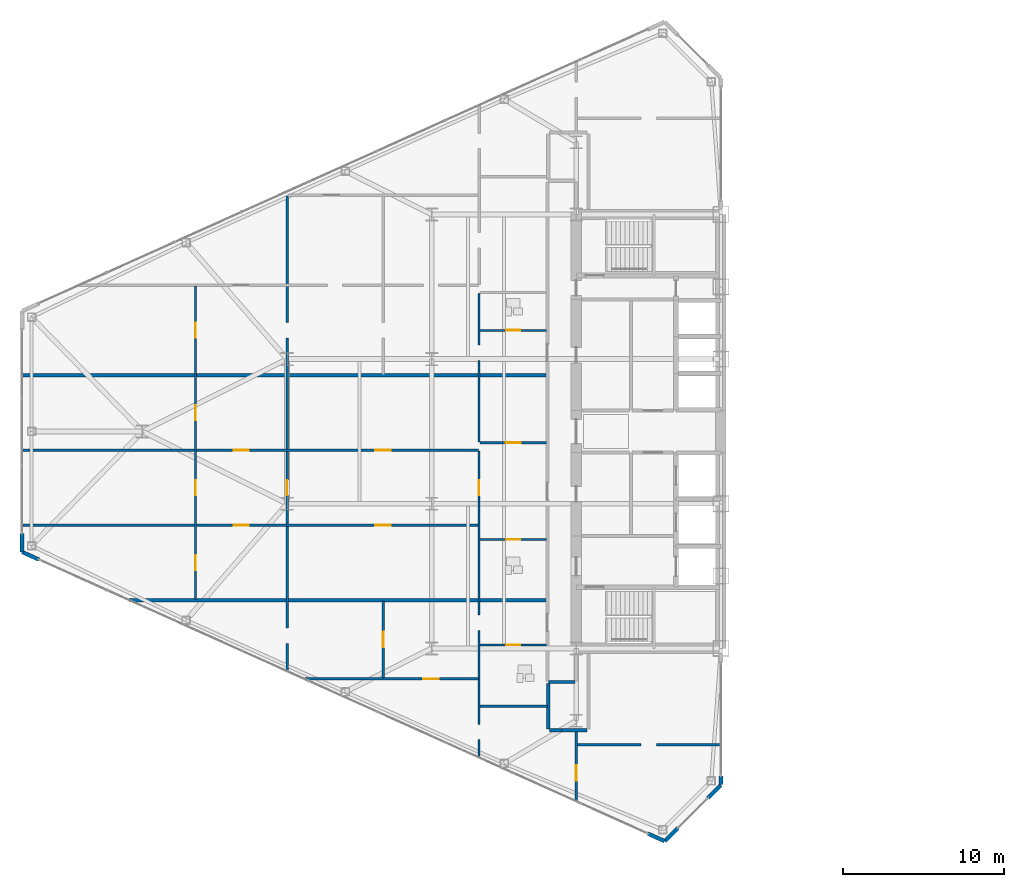
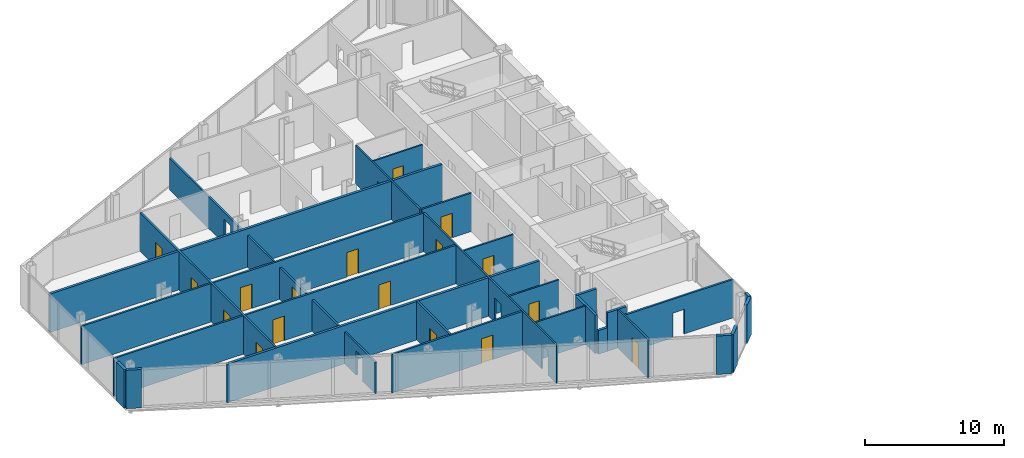
# One storey, part 19 of 27: 27 walls, 17 doors, 23 openings.
"""IFC4 building model written with IfcOpenShell, lengths in metres."""

from ifc_helpers import new_model, si_unit, direction, frame, frame_2d, origin, place, context, subcontext, project, spatial, rectangle, extrude, source, transform, mapped, material, layer, layer_set, type_object, type_shapes, element, fill, save


model = new_model("IFC4")

# Units and contexts
model_context = context("Model", 3, precision=1e-05, world=origin(), true_north=direction((0.0, 1.0)))
body_context = subcontext(model_context, "Body", "Model", "MODEL_VIEW")
ifc_project = project(units=[si_unit("LENGTHUNIT", "METRE"), si_unit("AREAUNIT", "SQUARE_METRE"), si_unit("VOLUMEUNIT", "CUBIC_METRE"), si_unit("PLANEANGLEUNIT", "RADIAN"), si_unit("MASSUNIT", "GRAM", prefix="KILO")], contexts=[model_context])

# Site, building, storey
site_placement = place(None, origin())
site = spatial("IfcSite", under=ifc_project, at=site_placement, CompositionType="ELEMENT")
building_placement = place(site_placement, origin())
building = spatial("IfcBuilding", under=site, at=building_placement, Name="Seokmaru Belvedere", CompositionType="ELEMENT")
storey_placement = place(building_placement, frame((0.0, 0.0, 106.800048828125)))
storey = spatial("IfcBuildingStorey", under=building, at=storey_placement, Name="L28", CompositionType="ELEMENT", Elevation=106.800048828125)

# Wall, opening
ifc_material_1 = material(Name="Fire-Rated Gypsum Shaftwall")
ifc_layer_1 = layer(ifc_material_1, 0.14990234375)
ifc_layer_set_1 = layer_set([ifc_layer_1], Name="Fire-Rated Gypsum Shaftwall")
wall_type_1 = type_object("IfcWallType", Name="Apartment Fire-Acoustic Room Partition 150", PredefinedType="PARTITIONING", material=ifc_layer_set_1)
wall_1_placement = place(storey_placement, frame((-36.449951171875, -19.5, 0.0), z_axis=(0.0, 0.0, 1.0), x_axis=(1.0, 0.0, 0.0)))
wall_1 = element("IfcWall", 1, at=wall_1_placement, inside=storey, type_object=wall_type_1, Name="L28 Interior Partition 001", PredefinedType="PARTITIONING", context=body_context, shape_type="SweptSolid", body=[
    extrude(rectangle(XDim=8.98486328125, YDim=0.14990234375, at=frame_2d((4.492431640625, 0.0))), origin(), (0.0, 0.0, 1.0), 3.3798828125),
])
opening_1_placement = place(wall_1_placement, frame((3.97509765625, 0.0, 0.0)))
element("IfcOpeningElement", 2, at=opening_1_placement, cuts=wall_1, Name="L28 Cased Opening 009", PredefinedType="OPENING", context=body_context, shape_type="SweptSolid", body=[
    extrude(rectangle(XDim=0.949951171875, YDim=2.14990234375, at=frame_2d((0.47509765625, 1.074951171875))), frame((0.0, 0.0849609375, 0.0), z_axis=(0.0, -1.0, 0.0), x_axis=(1.0, 0.0, 0.0)), (0.0, 0.0, 1.0), 0.169921875),
])

# Wall, opening, door
wall_2_placement = place(storey_placement, frame((-53.47705078125, -15.39990234375, 0.0), z_axis=(0.0, 0.0, 1.0), x_axis=(1.0, 0.0, 0.0)))
wall_2 = element("IfcWall", 3, at=wall_2_placement, inside=storey, type_object=wall_type_1, Name="L28 Interior Partition 007", PredefinedType="PARTITIONING", context=body_context, shape_type="SweptSolid", body=[
    extrude(rectangle(XDim=10.876953125, YDim=0.14990234375, at=frame_2d((5.4384765625, 0.0))), origin(), (0.0, 0.0, 1.0), 3.3798828125),
])
opening_2_placement = place(wall_2_placement, frame((7.464599609375, 0.0, 0.0)))
opening_2 = element("IfcOpeningElement", 4, at=opening_2_placement, cuts=wall_2, Name="Opening D05", PredefinedType="OPENING", context=body_context, shape_type="SweptSolid", body=[
    extrude(rectangle(XDim=0.949951171875, YDim=2.14990234375, at=frame_2d((0.47509765625, 1.074951171875))), frame((0.0, 0.0849609375, 0.0), z_axis=(0.0, -1.0, 0.0), x_axis=(1.0, 0.0, 0.0)), (0.0, 0.0, 1.0), 0.169921875),
])
ifc_material_2 = material(Name="Engineered White Oak Timber", Category="wood")
door_type_1 = type_object("IfcDoorType", Name="Apartment Interior Fire-Rated Oak Door 950x2150", OperationType="NOTDEFINED", PredefinedType="DOOR", material=ifc_material_2)
shared_shape_1 = source(origin(), body_context, "Body", "SweptSolid", [
    extrude(rectangle(XDim=0.949951171875, YDim=2.14990234375, at=frame_2d((0.47509765625, 1.074951171875))), frame((0.0, 0.02490234375, 0.0), z_axis=(0.0, -1.0, 0.0), x_axis=(1.0, 0.0, 0.0)), (0.0, 0.0, 1.0), 0.050048828125),
])
type_shapes(door_type_1, [shared_shape_1])
door_1_placement = place(opening_2_placement, origin())
door_1 = element("IfcDoor", 5, at=door_1_placement, inside=storey, type_object=door_type_1, Name="L28 Interior Door 004", OperationType="SINGLE_SWING_LEFT", OverallHeight=2.14990234375, OverallWidth=0.949951171875, PredefinedType="DOOR", context=body_context, shape_type="MappedRepresentation", body=[
    mapped(shared_shape_1, transform((0.0, 0.0, 0.0), scale=1.0)),
])
fill(opening_2, door_1)

# Wall, openings, doors
wall_3_placement = place(storey_placement, frame((-71.034912109375, -5.830078125, 0.0), z_axis=(0.0, 0.0, 1.0), x_axis=(1.0, 0.0, 0.0)))
wall_3 = element("IfcWall", 6, at=wall_3_placement, inside=storey, type_object=wall_type_1, Name="L28 Interior Partition 014", PredefinedType="PARTITIONING", context=body_context, shape_type="SweptSolid", body=[
    extrude(rectangle(XDim=28.434814453125, YDim=0.14990234375, at=frame_2d((14.21728515625, 0.0))), origin(), (0.0, 0.0, 1.0), 3.3798828125),
])
opening_3_placement = place(wall_3_placement, frame((22.034912109375, 0.0, 0.0)))
opening_3 = element("IfcOpeningElement", 7, at=opening_3_placement, cuts=wall_3, Name="Opening D05", PredefinedType="OPENING", context=body_context, shape_type="SweptSolid", body=[
    extrude(rectangle(XDim=0.949951171875, YDim=2.14990234375, at=frame_2d((0.47509765625, 1.074951171875))), frame((0.0, 0.0849609375, 0.0), z_axis=(0.0, -1.0, 0.0), x_axis=(1.0, 0.0, 0.0)), (0.0, 0.0, 1.0), 0.169921875),
])
opening_4_placement = place(wall_3_placement, frame((13.2099609375, 0.0, 0.0)))
opening_4 = element("IfcOpeningElement", 8, at=opening_4_placement, cuts=wall_3, Name="Opening D05", PredefinedType="OPENING", context=body_context, shape_type="SweptSolid", body=[
    extrude(rectangle(XDim=0.949951171875, YDim=2.14990234375, at=frame_2d((0.47509765625, 1.074951171875))), frame((0.0, 0.0849609375, 0.0), z_axis=(0.0, -1.0, 0.0), x_axis=(1.0, 0.0, 0.0)), (0.0, 0.0, 1.0), 0.169921875),
])
door_2_placement = place(opening_3_placement, origin())
door_2 = element("IfcDoor", 9, at=door_2_placement, inside=storey, type_object=door_type_1, Name="L28 Interior Door 015", OperationType="SINGLE_SWING_RIGHT", OverallHeight=2.14990234375, OverallWidth=0.949951171875, PredefinedType="DOOR", context=body_context, shape_type="MappedRepresentation", body=[
    mapped(shared_shape_1, transform((0.0, 0.0, 0.0), scale=1.0)),
])
fill(opening_3, door_2)
door_3_placement = place(opening_4_placement, origin())
door_3 = element("IfcDoor", 10, at=door_3_placement, inside=storey, type_object=door_type_1, Name="L28 Interior Door 017", OperationType="SINGLE_SWING_LEFT", OverallHeight=2.14990234375, OverallWidth=0.949951171875, PredefinedType="DOOR", context=body_context, shape_type="MappedRepresentation", body=[
    mapped(shared_shape_1, transform((0.0, 0.0, 0.0), scale=1.0)),
])
fill(opening_4, door_3)

wall_4_placement = place(storey_placement, frame((-71.034912109375, -1.169921875, 0.0), z_axis=(0.0, 0.0, 1.0), x_axis=(1.0, 0.0, 0.0)))
wall_4 = element("IfcWall", 11, at=wall_4_placement, inside=storey, type_object=wall_type_1, Name="L28 Interior Partition 017", PredefinedType="PARTITIONING", context=body_context, shape_type="SweptSolid", body=[
    extrude(rectangle(XDim=28.434814453125, YDim=0.14990234375, at=frame_2d((14.21728515625, 0.0))), origin(), (0.0, 0.0, 1.0), 3.3798828125),
])
opening_5_placement = place(wall_4_placement, frame((22.034912109375, 0.0, 0.0)))
opening_5 = element("IfcOpeningElement", 12, at=opening_5_placement, cuts=wall_4, Name="Opening D05", PredefinedType="OPENING", context=body_context, shape_type="SweptSolid", body=[
    extrude(rectangle(XDim=0.949951171875, YDim=2.14990234375, at=frame_2d((0.47509765625, 1.074951171875))), frame((0.0, 0.0849609375, 0.0), z_axis=(0.0, -1.0, 0.0), x_axis=(1.0, 0.0, 0.0)), (0.0, 0.0, 1.0), 0.169921875),
])
opening_6_placement = place(wall_4_placement, frame((13.2099609375, 0.0, 0.0)))
opening_6 = element("IfcOpeningElement", 13, at=opening_6_placement, cuts=wall_4, Name="Opening D05", PredefinedType="OPENING", context=body_context, shape_type="SweptSolid", body=[
    extrude(rectangle(XDim=0.949951171875, YDim=2.14990234375, at=frame_2d((0.47509765625, 1.074951171875))), frame((0.0, 0.0849609375, 0.0), z_axis=(0.0, -1.0, 0.0), x_axis=(1.0, 0.0, 0.0)), (0.0, 0.0, 1.0), 0.169921875),
])
door_4_placement = place(opening_5_placement, origin())
door_4 = element("IfcDoor", 14, at=door_4_placement, inside=storey, type_object=door_type_1, Name="L28 Interior Door 016", OperationType="SINGLE_SWING_LEFT", OverallHeight=2.14990234375, OverallWidth=0.949951171875, PredefinedType="DOOR", context=body_context, shape_type="MappedRepresentation", body=[
    mapped(shared_shape_1, transform((0.0, 0.0, 0.0), scale=1.0)),
])
fill(opening_5, door_4)
door_5_placement = place(opening_6_placement, origin())
door_5 = element("IfcDoor", 15, at=door_5_placement, inside=storey, type_object=door_type_1, Name="L28 Interior Door 020", OperationType="SINGLE_SWING_LEFT", OverallHeight=2.14990234375, OverallWidth=0.949951171875, PredefinedType="DOOR", context=body_context, shape_type="MappedRepresentation", body=[
    mapped(shared_shape_1, transform((0.0, 0.0, 0.0), scale=1.0)),
])
fill(opening_6, door_5)

# Wall, opening, door
wall_5_placement = place(storey_placement, frame((-42.5, -0.699951171875, 0.0), z_axis=(0.0, 0.0, 1.0), x_axis=(1.0, 0.0, 0.0)))
wall_5 = element("IfcWall", 16, at=wall_5_placement, inside=storey, type_object=wall_type_1, Name="L28 Interior Partition 018", PredefinedType="PARTITIONING", context=body_context, shape_type="SweptSolid", body=[
    extrude(rectangle(XDim=4.14990234375, YDim=0.14990234375, at=frame_2d((2.074951171875, 0.0))), origin(), (0.0, 0.0, 1.0), 3.3798828125),
])
opening_7_placement = place(wall_5_placement, frame((1.60009765625, 0.0, 0.0)))
opening_7 = element("IfcOpeningElement", 17, at=opening_7_placement, cuts=wall_5, Name="Opening D05", PredefinedType="OPENING", context=body_context, shape_type="SweptSolid", body=[
    extrude(rectangle(XDim=0.949951171875, YDim=2.14990234375, at=frame_2d((0.47509765625, 1.074951171875))), frame((0.0, 0.0849609375, 0.0), z_axis=(0.0, -1.0, 0.0), x_axis=(1.0, 0.0, 0.0)), (0.0, 0.0, 1.0), 0.169921875),
])
door_6_placement = place(opening_7_placement, origin())
door_6 = element("IfcDoor", 18, at=door_6_placement, inside=storey, type_object=door_type_1, Name="L28 Interior Door 012", OperationType="SINGLE_SWING_LEFT", OverallHeight=2.14990234375, OverallWidth=0.949951171875, PredefinedType="DOOR", context=body_context, shape_type="MappedRepresentation", body=[
    mapped(shared_shape_1, transform((0.0, 0.0, 0.0), scale=1.0)),
])
fill(opening_7, door_6)

# Wall, openings, doors
wall_6_placement = place(storey_placement, frame((-60.199951171875, -10.449951171875, 0.0), z_axis=(0.0, 0.0, 1.0), x_axis=(0.0, 1.0, 0.0)))
wall_6 = element("IfcWall", 19, at=wall_6_placement, inside=storey, type_object=wall_type_1, Name="L28 Interior Partition 037", PredefinedType="PARTITIONING", context=body_context, shape_type="SweptSolid", body=[
    extrude(rectangle(XDim=19.5009765625, YDim=0.14990234375, at=frame_2d((9.75048828125, 0.0))), origin(), (0.0, 0.0, 1.0), 3.3798828125),
])
opening_8_placement = place(wall_6_placement, frame((1.808349609375, 0.0, 0.0)))
opening_8 = element("IfcOpeningElement", 20, at=opening_8_placement, cuts=wall_6, Name="Opening D05", PredefinedType="OPENING", context=body_context, shape_type="SweptSolid", body=[
    extrude(rectangle(XDim=0.949951171875, YDim=2.14990234375, at=frame_2d((0.47509765625, 1.074951171875))), frame((0.0, 0.0849609375, 0.0), z_axis=(0.0, -1.0, 0.0), x_axis=(1.0, 0.0, 0.0)), (0.0, 0.0, 1.0), 0.169921875),
])
opening_9_placement = place(wall_6_placement, frame((6.47509765625, 0.0, 0.0)))
opening_9 = element("IfcOpeningElement", 21, at=opening_9_placement, cuts=wall_6, Name="Opening D05", PredefinedType="OPENING", context=body_context, shape_type="SweptSolid", body=[
    extrude(rectangle(XDim=0.949951171875, YDim=2.14990234375, at=frame_2d((0.47509765625, 1.074951171875))), frame((0.0, 0.0849609375, 0.0), z_axis=(0.0, -1.0, 0.0), x_axis=(1.0, 0.0, 0.0)), (0.0, 0.0, 1.0), 0.169921875),
])
opening_10_placement = place(wall_6_placement, frame((11.1416015625, 0.0, 0.0)))
opening_10 = element("IfcOpeningElement", 22, at=opening_10_placement, cuts=wall_6, Name="Opening D05", PredefinedType="OPENING", context=body_context, shape_type="SweptSolid", body=[
    extrude(rectangle(XDim=0.949951171875, YDim=2.14990234375, at=frame_2d((0.47509765625, 1.074951171875))), frame((0.0, 0.0849609375, 0.0), z_axis=(0.0, -1.0, 0.0), x_axis=(1.0, 0.0, 0.0)), (0.0, 0.0, 1.0), 0.169921875),
])
opening_11_placement = place(wall_6_placement, frame((16.275390625, 0.0, 0.0)))
opening_11 = element("IfcOpeningElement", 23, at=opening_11_placement, cuts=wall_6, Name="Opening D05", PredefinedType="OPENING", context=body_context, shape_type="SweptSolid", body=[
    extrude(rectangle(XDim=0.949951171875, YDim=2.14990234375, at=frame_2d((0.47509765625, 1.074951171875))), frame((0.0, 0.0849609375, 0.0), z_axis=(0.0, -1.0, 0.0), x_axis=(1.0, 0.0, 0.0)), (0.0, 0.0, 1.0), 0.169921875),
])
door_7_placement = place(opening_8_placement, origin())
door_7 = element("IfcDoor", 24, at=door_7_placement, inside=storey, type_object=door_type_1, Name="L28 Interior Door 018", OperationType="SINGLE_SWING_RIGHT", OverallHeight=2.14990234375, OverallWidth=0.949951171875, PredefinedType="DOOR", context=body_context, shape_type="MappedRepresentation", body=[
    mapped(shared_shape_1, transform((0.0, 0.0, 0.0), scale=1.0)),
])
fill(opening_8, door_7)
door_8_placement = place(opening_9_placement, origin())
door_8 = element("IfcDoor", 25, at=door_8_placement, inside=storey, type_object=door_type_1, Name="L28 Interior Door 019", OperationType="SINGLE_SWING_RIGHT", OverallHeight=2.14990234375, OverallWidth=0.949951171875, PredefinedType="DOOR", context=body_context, shape_type="MappedRepresentation", body=[
    mapped(shared_shape_1, transform((0.0, 0.0, 0.0), scale=1.0)),
])
fill(opening_9, door_8)
door_9_placement = place(opening_10_placement, origin())
door_9 = element("IfcDoor", 26, at=door_9_placement, inside=storey, type_object=door_type_1, Name="L28 Interior Door 021", OperationType="SINGLE_SWING_RIGHT", OverallHeight=2.14990234375, OverallWidth=0.949951171875, PredefinedType="DOOR", context=body_context, shape_type="MappedRepresentation", body=[
    mapped(shared_shape_1, transform((0.0, 0.0, 0.0), scale=1.0)),
])
fill(opening_10, door_9)
door_10_placement = place(opening_11_placement, origin())
door_10 = element("IfcDoor", 27, at=door_10_placement, inside=storey, type_object=door_type_1, Name="L28 Interior Door 029", OperationType="SINGLE_SWING_RIGHT", OverallHeight=2.14990234375, OverallWidth=0.949951171875, PredefinedType="DOOR", context=body_context, shape_type="MappedRepresentation", body=[
    mapped(shared_shape_1, transform((0.0, 0.0, 0.0), scale=1.0)),
])
fill(opening_11, door_10)

# Wall, openings, door
wall_7_placement = place(storey_placement, frame((-54.5, -14.9599609375, 0.0), z_axis=(0.0, 0.0, 1.0), x_axis=(0.0, 1.0, 0.0)))
wall_7 = element("IfcWall", 28, at=wall_7_placement, inside=storey, type_object=wall_type_1, Name="L28 Interior Partition 038", PredefinedType="PARTITIONING", context=body_context, shape_type="SweptSolid", body=[
    extrude(rectangle(XDim=29.612060546875, YDim=0.14990234375, at=frame_2d((14.80615234375, 0.0))), origin(), (0.0, 0.0, 1.0), 2.780029296875),
])
opening_12_placement = place(wall_7_placement, frame((1.7724609375, 0.0, 0.0)))
element("IfcOpeningElement", 29, at=opening_12_placement, cuts=wall_7, Name="L28 Cased Opening 008", PredefinedType="OPENING", context=body_context, shape_type="SweptSolid", body=[
    extrude(rectangle(XDim=0.949951171875, YDim=2.14990234375, at=frame_2d((0.47509765625, 1.074951171875))), frame((0.0, 0.0849609375, 0.0), z_axis=(0.0, -1.0, 0.0), x_axis=(1.0, 0.0, 0.0)), (0.0, 0.0, 1.0), 0.169921875),
])
opening_13_placement = place(wall_7_placement, frame((10.985107421875, 0.0, 0.0)))
opening_13 = element("IfcOpeningElement", 30, at=opening_13_placement, cuts=wall_7, Name="Opening D05", PredefinedType="OPENING", context=body_context, shape_type="SweptSolid", body=[
    extrude(rectangle(XDim=0.949951171875, YDim=2.14990234375, at=frame_2d((0.47509765625, 1.074951171875))), frame((0.0, 0.0849609375, 0.0), z_axis=(0.0, -1.0, 0.0), x_axis=(1.0, 0.0, 0.0)), (0.0, 0.0, 1.0), 0.169921875),
])
opening_14_placement = place(wall_7_placement, frame((20.785400390625, 0.0, 0.0)))
element("IfcOpeningElement", 31, at=opening_14_placement, cuts=wall_7, Name="L28 Cased Opening 028", PredefinedType="OPENING", context=body_context, shape_type="SweptSolid", body=[
    extrude(rectangle(XDim=0.949951171875, YDim=2.14990234375, at=frame_2d((0.47509765625, 1.074951171875))), frame((0.0, 0.0849609375, 0.0), z_axis=(0.0, -1.0, 0.0), x_axis=(1.0, 0.0, 0.0)), (0.0, 0.0, 1.0), 0.169921875),
])
door_11_placement = place(opening_13_placement, origin())
door_11 = element("IfcDoor", 32, at=door_11_placement, inside=storey, type_object=door_type_1, Name="L28 Interior Door 014", OperationType="SINGLE_SWING_LEFT", OverallHeight=2.14990234375, OverallWidth=0.949951171875, PredefinedType="DOOR", context=body_context, shape_type="MappedRepresentation", body=[
    mapped(shared_shape_1, transform((0.0, 0.0, 0.0), scale=1.0)),
])
fill(opening_13, door_11)

# Wall, opening, door
wall_8_placement = place(storey_placement, frame((-48.52001953125, -15.35107421875, 0.0), z_axis=(0.0, 0.0, 1.0), x_axis=(0.0, 1.0, 0.0)))
wall_8 = element("IfcWall", 33, at=wall_8_placement, inside=storey, type_object=wall_type_1, Name="L28 Interior Partition 039", PredefinedType="PARTITIONING", context=body_context, shape_type="SweptSolid", body=[
    extrude(rectangle(XDim=4.801025390625, YDim=0.14990234375, at=frame_2d((2.400390625, 0.0))), origin(), (0.0, 0.0, 1.0), 3.3798828125),
])
opening_15_placement = place(wall_8_placement, frame((1.92529296875, 0.0, 0.0)))
opening_15 = element("IfcOpeningElement", 34, at=opening_15_placement, cuts=wall_8, Name="Opening D05", PredefinedType="OPENING", context=body_context, shape_type="SweptSolid", body=[
    extrude(rectangle(XDim=0.949951171875, YDim=2.14990234375, at=frame_2d((0.47509765625, 1.074951171875))), frame((0.0, 0.0849609375, 0.0), z_axis=(0.0, -1.0, 0.0), x_axis=(1.0, 0.0, 0.0)), (0.0, 0.0, 1.0), 0.169921875),
])
door_12_placement = place(opening_15_placement, origin())
door_12 = element("IfcDoor", 35, at=door_12_placement, inside=storey, type_object=door_type_1, Name="L28 Interior Door 005", OperationType="SINGLE_SWING_RIGHT", OverallHeight=2.14990234375, OverallWidth=0.949951171875, PredefinedType="DOOR", context=body_context, shape_type="MappedRepresentation", body=[
    mapped(shared_shape_1, transform((0.0, 0.0, 0.0), scale=1.0)),
])
fill(opening_15, door_12)

wall_9_placement = place(storey_placement, frame((-36.5, -23.06005859375, 0.0), z_axis=(0.0, 0.0, 1.0), x_axis=(0.0, 1.0, 0.0)))
wall_9 = element("IfcWall", 36, at=wall_9_placement, inside=storey, type_object=wall_type_1, Name="L28 Interior Partition 047", PredefinedType="PARTITIONING", context=body_context, shape_type="SweptSolid", body=[
    extrude(rectangle(XDim=4.41015625, YDim=0.14990234375, at=frame_2d((2.205078125, 0.0))), origin(), (0.0, 0.0, 1.0), 3.3798828125),
])
opening_16_placement = place(wall_9_placement, frame((1.322509765625, 0.0, 0.0)))
opening_16 = element("IfcOpeningElement", 37, at=opening_16_placement, cuts=wall_9, Name="Opening D05", PredefinedType="OPENING", context=body_context, shape_type="SweptSolid", body=[
    extrude(rectangle(XDim=0.949951171875, YDim=2.14990234375, at=frame_2d((0.47509765625, 1.074951171875))), frame((0.0, 0.0849609375, 0.0), z_axis=(0.0, -1.0, 0.0), x_axis=(1.0, 0.0, 0.0)), (0.0, 0.0, 1.0), 0.169921875),
])
door_13_placement = place(opening_16_placement, origin())
door_13 = element("IfcDoor", 38, at=door_13_placement, inside=storey, type_object=door_type_1, Name="L28 Interior Door 007", OperationType="SINGLE_SWING_RIGHT", OverallHeight=2.14990234375, OverallWidth=0.949951171875, PredefinedType="DOOR", context=body_context, shape_type="MappedRepresentation", body=[
    mapped(shared_shape_1, transform((0.0, 0.0, 0.0), scale=1.0)),
])
fill(opening_16, door_13)

# Walls
ifc_layer_2 = layer(ifc_material_1, 0.199951171875)
ifc_layer_set_2 = layer_set([ifc_layer_2], Name="Fire-Rated Gypsum Shaftwall")
wall_type_2 = type_object("IfcWallType", Name="Inter-Tenancy Fire Compartment Partition 200", PredefinedType="PARTITIONING", material=ifc_layer_set_2)
wall_10_placement = place(storey_placement, frame((-38.1650390625, -18.60009765625, 0.0), z_axis=(0.0, 0.0, 1.0), x_axis=(1.0, 0.0, 0.0)))
element("IfcWall", 39, at=wall_10_placement, inside=storey, type_object=wall_type_2, Name="L28 Interior Partition 002", PredefinedType="PARTITIONING", context=body_context, shape_type="SweptSolid", body=[
    extrude(rectangle(XDim=0.753173828125, YDim=0.199951171875, at=frame_2d((0.37646484375, 0.0))), origin(), (0.0, 0.0, 1.0), 2.079833984375),
])
wall_11_placement = place(storey_placement, frame((-37.411865234375, -18.60009765625, 0.0), z_axis=(0.0, 0.0, 1.0), x_axis=(1.0, 0.0, 0.0)))
element("IfcWall", 40, at=wall_11_placement, inside=storey, type_object=wall_type_2, Name="L28 Interior Partition 002 Part 2", PredefinedType="PARTITIONING", context=body_context, shape_type="SweptSolid", body=[
    extrude(rectangle(XDim=1.576904296875, YDim=0.199951171875, at=frame_2d((0.78857421875, 0.0))), origin(), (0.0, 0.0, 1.0), 3.3798828125),
])
wall_12_placement = place(storey_placement, frame((-38.215087890625, -15.60009765625, 0.0), z_axis=(0.0, 0.0, 1.0), x_axis=(1.0, 0.0, 0.0)))
element("IfcWall", 41, at=wall_12_placement, inside=storey, type_object=wall_type_2, Name="L28 Interior Partition 005", PredefinedType="PARTITIONING", context=body_context, shape_type="SweptSolid", body=[
    extrude(rectangle(XDim=1.630126953125, YDim=0.199951171875, at=frame_2d((0.81494140625, 0.0))), origin(), (0.0, 0.0, 1.0), 3.3798828125),
])
wall_13_placement = place(storey_placement, frame((-64.345947265625, -10.5, 0.0), z_axis=(0.0, 0.0, 1.0), x_axis=(1.0, 0.0, 0.0)))
element("IfcWall", 42, at=wall_13_placement, inside=storey, type_object=wall_type_2, Name="L28 Interior Partition 010", PredefinedType="PARTITIONING", context=body_context, shape_type="SweptSolid", body=[
    extrude(rectangle(XDim=25.966064453125, YDim=0.199951171875, at=frame_2d((12.98291015625, 0.0))), origin(), (0.0, 0.0, 1.0), 3.3798828125),
])
wall_14_placement = place(storey_placement, frame((-71.0048828125, 3.5, 0.0), z_axis=(0.0, 0.0, 1.0), x_axis=(1.0, 0.0, 0.0)))
element("IfcWall", 43, at=wall_14_placement, inside=storey, type_object=wall_type_2, Name="L28 Interior Partition 020", PredefinedType="PARTITIONING", context=body_context, shape_type="SweptSolid", body=[
    extrude(rectangle(XDim=32.625, YDim=0.199951171875, at=frame_2d((16.3125, 0.0))), origin(), (0.0, 0.0, 1.0), 3.3798828125),
])
wall_15_placement = place(storey_placement, frame((-38.25, -18.514892578125, 0.0), z_axis=(0.0, 0.0, 1.0), x_axis=(0.0, 1.0, 0.0)))
element("IfcWall", 44, at=wall_15_placement, inside=storey, type_object=wall_type_2, Name="L28 Interior Partition 045", PredefinedType="PARTITIONING", context=body_context, shape_type="SweptSolid", body=[
    extrude(rectangle(XDim=2.829833984375, YDim=0.199951171875, at=frame_2d((1.4150390625, 0.0))), origin(), (0.0, 0.0, 1.0), 3.3798828125),
])
ifc_layer_3 = layer(ifc_material_1, 0.1298828125)
ifc_layer_set_3 = layer_set([ifc_layer_3], Name="Fire-Rated Gypsum Shaftwall")
wall_type_3 = type_object("IfcWallType", Name="Moisture-Resistant Fire-Rated Bathroom Partition 130", PredefinedType="PARTITIONING", material=ifc_layer_set_3)
wall_16_placement = place(storey_placement, frame((-42.5, -17.10009765625, 0.0), z_axis=(0.0, 0.0, 1.0), x_axis=(1.0, 0.0, 0.0)))
element("IfcWall", 45, at=wall_16_placement, inside=storey, type_object=wall_type_3, Name="L28 Interior Partition 004", PredefinedType="PARTITIONING", context=body_context, shape_type="SweptSolid", body=[
    extrude(rectangle(XDim=4.199951171875, YDim=0.1298828125, at=frame_2d((2.10009765625, 0.0))), origin(), (0.0, 0.0, 1.0), 3.3798828125),
])

# Wall, opening, door
wall_17_placement = place(storey_placement, frame((-42.5, -13.2900390625, 0.0), z_axis=(0.0, 0.0, 1.0), x_axis=(1.0, 0.0, 0.0)))
wall_17 = element("IfcWall", 46, at=wall_17_placement, inside=storey, type_object=wall_type_3, Name="L28 Interior Partition 008", PredefinedType="PARTITIONING", context=body_context, shape_type="SweptSolid", body=[
    extrude(rectangle(XDim=4.14990234375, YDim=0.1298828125, at=frame_2d((2.074951171875, 0.0))), origin(), (0.0, 0.0, 1.0), 3.3798828125),
])
opening_17_placement = place(wall_17_placement, frame((1.635009765625, 0.0, 0.0)))
opening_17 = element("IfcOpeningElement", 47, at=opening_17_placement, cuts=wall_17, Name="Opening D06", PredefinedType="OPENING", context=body_context, shape_type="SweptSolid", body=[
    extrude(rectangle(XDim=0.8798828125, YDim=2.10009765625, at=frame_2d((0.43994140625, 1.050048828125))), frame((0.0, 0.074951171875, 0.0), z_axis=(0.0, -1.0, 0.0), x_axis=(1.0, 0.0, 0.0)), (0.0, 0.0, 1.0), 0.14990234375),
])
door_type_2 = type_object("IfcDoorType", Name="Bathroom and Restroom Fire-Rated Door 880x2100", OperationType="NOTDEFINED", PredefinedType="DOOR", material=ifc_material_2)
shared_shape_2 = source(origin(), body_context, "Body", "SweptSolid", [
    extrude(rectangle(XDim=0.8798828125, YDim=2.10009765625, at=frame_2d((0.43994140625, 1.050048828125))), frame((0.0, 0.02490234375, 0.0), z_axis=(0.0, -1.0, 0.0), x_axis=(1.0, 0.0, 0.0)), (0.0, 0.0, 1.0), 0.050048828125),
])
type_shapes(door_type_2, [shared_shape_2])
door_14_placement = place(opening_17_placement, origin())
door_14 = element("IfcDoor", 48, at=door_14_placement, inside=storey, type_object=door_type_2, Name="L28 Interior Door 002", OperationType="SINGLE_SWING_LEFT", OverallHeight=2.10009765625, OverallWidth=0.8798828125, PredefinedType="DOOR", context=body_context, shape_type="MappedRepresentation", body=[
    mapped(shared_shape_2, transform((0.0, 0.0, 0.0), scale=1.0)),
])
fill(opening_17, door_14)

wall_18_placement = place(storey_placement, frame((-42.5, -6.719970703125, 0.0), z_axis=(0.0, 0.0, 1.0), x_axis=(1.0, 0.0, 0.0)))
wall_18 = element("IfcWall", 49, at=wall_18_placement, inside=storey, type_object=wall_type_3, Name="L28 Interior Partition 012", PredefinedType="PARTITIONING", context=body_context, shape_type="SweptSolid", body=[
    extrude(rectangle(XDim=4.14990234375, YDim=0.1298828125, at=frame_2d((2.074951171875, 0.0))), origin(), (0.0, 0.0, 1.0), 3.3798828125),
])
opening_18_placement = place(wall_18_placement, frame((1.635009765625, 0.0, 0.0)))
opening_18 = element("IfcOpeningElement", 50, at=opening_18_placement, cuts=wall_18, Name="Opening D06", PredefinedType="OPENING", context=body_context, shape_type="SweptSolid", body=[
    extrude(rectangle(XDim=0.8798828125, YDim=2.10009765625, at=frame_2d((0.43994140625, 1.050048828125))), frame((0.0, 0.074951171875, 0.0), z_axis=(0.0, -1.0, 0.0), x_axis=(1.0, 0.0, 0.0)), (0.0, 0.0, 1.0), 0.14990234375),
])
door_15_placement = place(opening_18_placement, origin())
door_15 = element("IfcDoor", 51, at=door_15_placement, inside=storey, type_object=door_type_2, Name="L28 Interior Door 011", OperationType="SINGLE_SWING_LEFT", OverallHeight=2.10009765625, OverallWidth=0.8798828125, PredefinedType="DOOR", context=body_context, shape_type="MappedRepresentation", body=[
    mapped(shared_shape_2, transform((0.0, 0.0, 0.0), scale=1.0)),
])
fill(opening_18, door_15)

wall_19_placement = place(storey_placement, frame((-42.5, 6.2900390625, 0.0), z_axis=(0.0, 0.0, 1.0), x_axis=(1.0, 0.0, 0.0)))
wall_19 = element("IfcWall", 52, at=wall_19_placement, inside=storey, type_object=wall_type_3, Name="L28 Interior Partition 021", PredefinedType="PARTITIONING", context=body_context, shape_type="SweptSolid", body=[
    extrude(rectangle(XDim=4.14990234375, YDim=0.1298828125, at=frame_2d((2.074951171875, 0.0))), origin(), (0.0, 0.0, 1.0), 3.3798828125),
])
opening_19_placement = place(wall_19_placement, frame((1.635009765625, 0.0, 0.0)))
opening_19 = element("IfcOpeningElement", 53, at=opening_19_placement, cuts=wall_19, Name="Opening D06", PredefinedType="OPENING", context=body_context, shape_type="SweptSolid", body=[
    extrude(rectangle(XDim=0.8798828125, YDim=2.10009765625, at=frame_2d((0.43994140625, 1.050048828125))), frame((0.0, 0.074951171875, 0.0), z_axis=(0.0, -1.0, 0.0), x_axis=(1.0, 0.0, 0.0)), (0.0, 0.0, 1.0), 0.14990234375),
])
door_16_placement = place(opening_19_placement, origin())
door_16 = element("IfcDoor", 54, at=door_16_placement, inside=storey, type_object=door_type_2, Name="L28 Interior Door 023", OperationType="SINGLE_SWING_LEFT", OverallHeight=2.10009765625, OverallWidth=0.8798828125, PredefinedType="DOOR", context=body_context, shape_type="MappedRepresentation", body=[
    mapped(shared_shape_2, transform((0.0, 0.0, 0.0), scale=1.0)),
])
fill(opening_19, door_16)

# Wall, openings, door
wall_20_placement = place(storey_placement, frame((-42.550048828125, -20.3369140625, 0.0), z_axis=(0.0, 0.0, 1.0), x_axis=(0.0, 1.0, 0.0)))
wall_20 = element("IfcWall", 55, at=wall_20_placement, inside=storey, type_object=wall_type_3, Name="L28 Interior Partition 041", PredefinedType="PARTITIONING", context=body_context, shape_type="SweptSolid", body=[
    extrude(rectangle(XDim=19.119873046875, YDim=0.1298828125, at=frame_2d((9.56005859375, 0.0))), origin(), (0.0, 0.0, 1.0), 3.3798828125),
])
opening_20_placement = place(wall_20_placement, frame((7.964599609375, 0.0, 0.0)))
element("IfcOpeningElement", 56, at=opening_20_placement, cuts=wall_20, Name="L28 Cased Opening 003", PredefinedType="OPENING", context=body_context, shape_type="SweptSolid", body=[
    extrude(rectangle(XDim=0.949951171875, YDim=2.14990234375, at=frame_2d((0.47509765625, 1.074951171875))), frame((0.0, 0.074951171875, 0.0), z_axis=(0.0, -1.0, 0.0), x_axis=(1.0, 0.0, 0.0)), (0.0, 0.0, 1.0), 0.14990234375),
])
opening_21_placement = place(wall_20_placement, frame((1.16064453125, 0.0, 0.0)))
element("IfcOpeningElement", 57, at=opening_21_placement, cuts=wall_20, Name="L28 Cased Opening 006", PredefinedType="OPENING", context=body_context, shape_type="SweptSolid", body=[
    extrude(rectangle(XDim=0.949951171875, YDim=2.14990234375, at=frame_2d((0.47509765625, 1.074951171875))), frame((0.0, 0.074951171875, 0.0), z_axis=(0.0, -1.0, 0.0), x_axis=(1.0, 0.0, 0.0)), (0.0, 0.0, 1.0), 0.14990234375),
])
opening_22_placement = place(wall_20_placement, frame((16.362060546875, 0.0, 0.0)))
opening_22 = element("IfcOpeningElement", 58, at=opening_22_placement, cuts=wall_20, Name="Opening D05", PredefinedType="OPENING", context=body_context, shape_type="SweptSolid", body=[
    extrude(rectangle(XDim=0.949951171875, YDim=2.14990234375, at=frame_2d((0.47509765625, 1.074951171875))), frame((0.0, 0.074951171875, 0.0), z_axis=(0.0, -1.0, 0.0), x_axis=(1.0, 0.0, 0.0)), (0.0, 0.0, 1.0), 0.14990234375),
])
door_17_placement = place(opening_22_placement, origin())
door_17 = element("IfcDoor", 59, at=door_17_placement, inside=storey, type_object=door_type_1, Name="L28 Interior Door 013", OperationType="SINGLE_SWING_RIGHT", OverallHeight=2.14990234375, OverallWidth=0.949951171875, PredefinedType="DOOR", context=body_context, shape_type="MappedRepresentation", body=[
    mapped(shared_shape_1, transform((0.0, 0.0, 0.0), scale=1.0)),
])
fill(opening_22, door_17)

# Wall, opening
wall_21_placement = place(storey_placement, frame((-42.550048828125, -0.64794921875, 0.0), z_axis=(0.0, 0.0, 1.0), x_axis=(0.0, 1.0, 0.0)))
wall_21 = element("IfcWall", 60, at=wall_21_placement, inside=storey, type_object=wall_type_3, Name="L28 Interior Partition 042", PredefinedType="PARTITIONING", context=body_context, shape_type="SweptSolid", body=[
    extrude(rectangle(XDim=9.242919921875, YDim=0.1298828125, at=frame_2d((4.62158203125, 0.0))), origin(), (0.0, 0.0, 1.0), 3.3798828125),
])
opening_23_placement = place(wall_21_placement, frame((5.070556640625, 0.0, 0.0)))
element("IfcOpeningElement", 61, at=opening_23_placement, cuts=wall_21, Name="L28 Cased Opening 024", PredefinedType="OPENING", context=body_context, shape_type="SweptSolid", body=[
    extrude(rectangle(XDim=0.949951171875, YDim=2.14990234375, at=frame_2d((0.47509765625, 1.074951171875))), frame((0.0, 0.074951171875, 0.0), z_axis=(0.0, -1.0, 0.0), x_axis=(1.0, 0.0, 0.0)), (0.0, 0.0, 1.0), 0.14990234375),
])

# Walls
ifc_material_3 = material(Name="Anodised Bronze Aluminium", Category="aluminium")
ifc_layer_4 = layer(ifc_material_3, 0.239990234375)
ifc_layer_set_4 = layer_set([ifc_layer_4], Name="Anodised Bronze Aluminium")
wall_type_4 = type_object("IfcWallType", Name="Tower Corner Spandrel Closure Wall 240", PredefinedType="SOLIDWALL", material=ifc_layer_set_4)
wall_22_placement = place(storey_placement, frame((-27.5, -21.97998046875, 0.0), z_axis=(0.0, 0.0, 1.0), x_axis=(0.0, 1.0, 0.0)))
element("IfcWall", 62, at=wall_22_placement, inside=storey, type_object=wall_type_4, Name="L28 W Spine Closure Pier 1A", PredefinedType="SOLIDWALL", context=body_context, shape_type="SweptSolid", body=[
    extrude(rectangle(XDim=0.550048828125, YDim=0.239990234375, at=frame_2d((0.27490234375, 0.0))), origin(), (0.0, 0.0, 1.0), 3.3798828125),
])
for number, where, z_axis, x_axis, name in (
    (63, (-71.0, -6.35009765625, 0.0), (0.0, 0.0, 1.0), (0.0, -1.0, 0.0), "L28 W Corner Closure Pier 4B"),
    (64, (-70.990966796875, -7.504150390625, 0.0), (0.0, 0.0, 1.0), (0.911929519623, -0.410346866979, 0.0), "L28 W Corner Closure Pier 5A"),
    (65, (-32.048583984375, -25.028076171875, 0.0), (0.0, 0.0, 1.0), (0.911929519623, -0.410346866979, 0.0), "L28 W Corner Closure Pier 5B"),
):
    element("IfcWall", number, at=place(storey_placement, frame(where, z_axis=z_axis, x_axis=x_axis)), inside=storey, type_object=wall_type_4, Name=name, PredefinedType="SOLIDWALL", context=body_context, shape_type="SweptSolid", body=[
        extrude(rectangle(XDim=1.139892578125, YDim=0.239990234375, at=frame_2d((0.56982421875, 0.0))), origin(), (0.0, 0.0, 1.0), 3.3798828125),
    ])
for number, where, z_axis, x_axis, name in (
    (66, (-30.992919921875, -25.492919921875, 0.0), (0.0, 0.0, 1.0), (0.707106781187, 0.707106781187, 0.0), "L28 W Corner Closure Pier 6A"),
    (67, (-28.313232421875, -22.813232421875, 0.0), (0.0, 0.0, 1.0), (0.707106781187, 0.707106781187, 0.0), "L28 W Corner Closure Pier 6B"),
):
    element("IfcWall", number, at=place(storey_placement, frame(where, z_axis=z_axis, x_axis=x_axis)), inside=storey, type_object=wall_type_4, Name=name, PredefinedType="SOLIDWALL", context=body_context, shape_type="SweptSolid", body=[
        extrude(rectangle(XDim=1.14013671875, YDim=0.239990234375, at=frame_2d((0.570068359375, 0.0))), origin(), (0.0, 0.0, 1.0), 3.3798828125),
    ])

save(model, "model.ifc")
